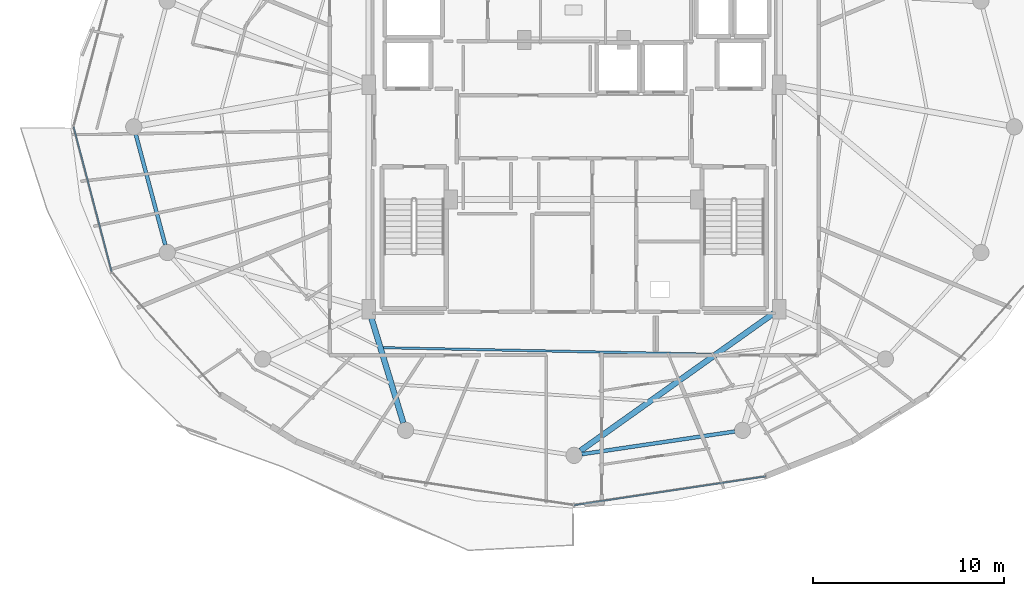
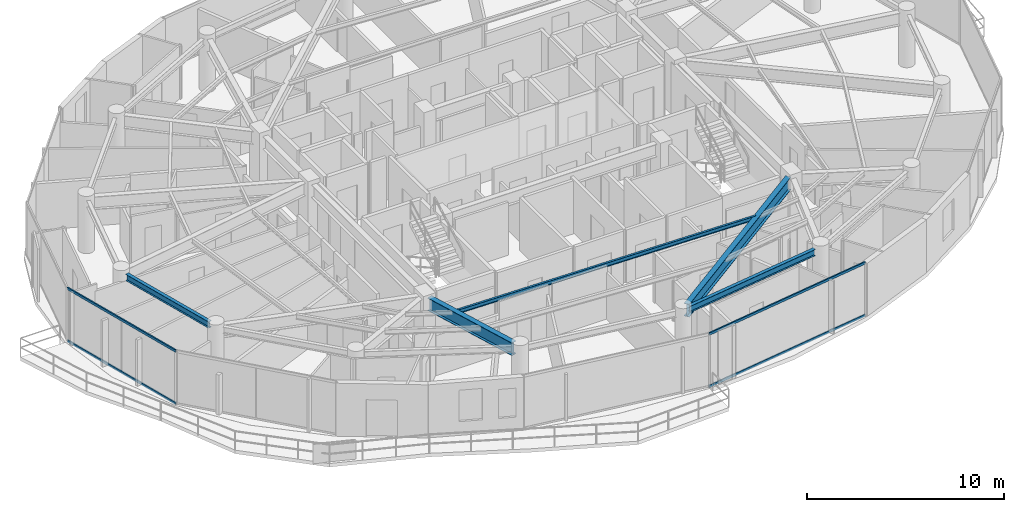
# One storey, part 6 of 30: 5 beams, 4 members, 2 elements without a shape of their own.
"""IFC4 building model written with IfcOpenShell, lengths in metres."""

from ifc_helpers import new_model, si_unit, direction, frame, origin, origin_2d, place, context, subcontext, project, spatial, hollow_rectangle, i_section, extrude, material, material_profile, profile_set, type_object, element, aggregate, save


model = new_model("IFC4")

# Units and contexts
model_context = context("Model", 3, precision=1e-05, world=origin(), true_north=direction((0.0, 1.0)))
body_context = subcontext(model_context, "Body", "Model", "MODEL_VIEW")
ifc_project = project(units=[si_unit("LENGTHUNIT", "METRE"), si_unit("AREAUNIT", "SQUARE_METRE"), si_unit("VOLUMEUNIT", "CUBIC_METRE"), si_unit("PLANEANGLEUNIT", "RADIAN"), si_unit("MASSUNIT", "GRAM", prefix="KILO")], contexts=[model_context])

# Site, building, storey
site_placement = place(None, origin())
site = spatial("IfcSite", under=ifc_project, at=site_placement, CompositionType="ELEMENT")
building_placement = place(site_placement, origin())
building = spatial("IfcBuilding", under=site, at=building_placement, Name="Vorneva Point Tower", CompositionType="ELEMENT")
storey_placement = place(building_placement, frame((0.0, 0.0, 252.0)))
storey = spatial("IfcBuildingStorey", under=building, at=storey_placement, Name="L68", CompositionType="ELEMENT", Elevation=252.0)

# Beams
ifc_material_1 = material(Name="Steel S355", Category="steel")
ifc_material_profile_1 = material_profile(ifc_material_1, i_section(OverallWidth=0.300048828125, OverallDepth=0.7880859375, WebThickness=0.014404296875, FlangeThickness=0.02197265625, at=origin_2d()), Name="80Sh1")
ifc_profile_set_1 = profile_set([ifc_material_profile_1], Name="Steel S355")
beam_type_1 = type_object("IfcBeamType", Name="BM-GRD-80Sh1", PredefinedType="USERDEFINED", material=ifc_profile_set_1)
beam_1_placement = place(storey_placement, frame((29.058837890625, 10.50439453125, 2.89599609375), z_axis=(-0.291032624293, 0.956713129207, 0.0), x_axis=(-0.956713129207, -0.291032624293, 0.0)))
element("IfcBeam", 1, at=beam_1_placement, inside=storey, type_object=beam_type_1, Name="L68 Radial Primary Girder 12", ObjectType="GIRDER", PredefinedType="USERDEFINED", context=body_context, shape_type="SweptSolid", body=[
    extrude(i_section(OverallWidth=0.300048828125, OverallDepth=0.7880859375, WebThickness=0.014404296875, FlangeThickness=0.02197265625, at=origin_2d()), origin(), (0.0, 0.0, 1.0), 5.874755859375),
])
beam_2_placement = place(storey_placement, frame((38.33642578125, 9.03955078125, 2.89599609375), z_axis=(0.814757147543, 0.579802371958, 0.0), x_axis=(-0.579802371958, 0.814757147543, 0.0)))
element("IfcBeam", 2, at=beam_2_placement, inside=storey, type_object=beam_type_1, Name="L68 Radial Primary Girder 13", ObjectType="GIRDER", PredefinedType="USERDEFINED", context=body_context, shape_type="SweptSolid", body=[
    extrude(i_section(OverallWidth=0.300048828125, OverallDepth=0.7880859375, WebThickness=0.014404296875, FlangeThickness=0.02197265625, at=origin_2d()), origin(), (0.0, 0.0, 1.0), 12.441162109375),
])
ifc_material_profile_2 = material_profile(ifc_material_1, i_section(OverallWidth=0.1240234375, OverallDepth=0.248046875, WebThickness=0.0048828125, FlangeThickness=0.008056640625, at=origin_2d()), Name="25B1")
ifc_profile_set_2 = profile_set([ifc_material_profile_2], Name="Steel S355")
beam_type_2 = type_object("IfcBeamType", Name="BM-JST-25B1", PredefinedType="JOIST", material=ifc_profile_set_2)
beam_3_placement = place(storey_placement, frame((28.0, 14.435791015625, 3.166015625), z_axis=(0.999801957281, -0.019900909973, 0.0), x_axis=(0.019900909973, 0.999801957281, 0.0)))
element("IfcBeam", 3, at=beam_3_placement, inside=storey, type_object=beam_type_2, Name="L68 Secondary Floor Beam 2.12", PredefinedType="JOIST", context=body_context, shape_type="SweptSolid", body=[
    extrude(i_section(OverallWidth=0.1240234375, OverallDepth=0.248046875, WebThickness=0.0048828125, FlangeThickness=0.008056640625, at=origin_2d()), origin(), (0.0, 0.0, 1.0), 17.297607421875),
])
ifc_material_profile_3 = material_profile(ifc_material_1, i_section(OverallWidth=0.198974609375, OverallDepth=0.39599609375, WebThickness=0.007080078125, FlangeThickness=0.010986328125, at=origin_2d()), Name="40B1")
ifc_profile_set_3 = profile_set([ifc_material_profile_3], Name="Steel S355")
beam_type_3 = type_object("IfcBeamType", Name="BM-SPN-40B1", PredefinedType="SPANDREL", material=ifc_profile_set_3)
beam_4_placement = place(storey_placement, frame((15.0556640625, 25.603759765625, 3.092041015625), z_axis=(0.257586570866, -0.966255224312, 0.0), x_axis=(0.966255224312, 0.257586570866, 0.0)))
element("IfcBeam", 4, at=beam_4_placement, inside=storey, type_object=beam_type_3, Name="L68 Perimeter Spandrel Ring Beam 09", PredefinedType="SPANDREL", context=body_context, shape_type="SweptSolid", body=[
    extrude(i_section(OverallWidth=0.198974609375, OverallDepth=0.39599609375, WebThickness=0.007080078125, FlangeThickness=0.010986328125, at=origin_2d()), origin(), (0.0, 0.0, 1.0), 5.991943359375),
])
beam_5_placement = place(storey_placement, frame((38.405517578125, 8.860107421875, 3.092041015625), z_axis=(0.989161657331, 0.146830567886, 0.0), x_axis=(-0.146830567886, 0.989161657331, 0.0)))
element("IfcBeam", 5, at=beam_5_placement, inside=storey, type_object=beam_type_3, Name="L68 Perimeter Spandrel Ring Beam 13", PredefinedType="SPANDREL", context=body_context, shape_type="SweptSolid", body=[
    extrude(i_section(OverallWidth=0.198974609375, OverallDepth=0.39599609375, WebThickness=0.007080078125, FlangeThickness=0.010986328125, at=origin_2d()), origin(), (0.0, 0.0, 1.0), 8.097412109375),
])

# Curtain wall, members
ifc_material_2 = material(Name="Pale anodised aluminium", Category="aluminium")
curtain_wall_type = type_object("IfcCurtainWallType", Name="CW-RES-SYS", PredefinedType="NOTDEFINED", material=ifc_material_2)
curtain_wall_1_placement = place(storey_placement, origin())
curtain_wall_1 = element("IfcCurtainWall", 6, at=curtain_wall_1_placement, inside=storey, type_object=curtain_wall_type, Name="L68 Unitised Curtain Wall CW-L68-R03", PredefinedType="NOTDEFINED")
ifc_material_profile_4 = material_profile(ifc_material_2, hollow_rectangle(XDim=0.074951171875, YDim=0.14990234375, WallThickness=0.00390625, at=origin_2d()), Name="AL-TRN 150x75x4")
ifc_profile_set_4 = profile_set([ifc_material_profile_4], Name="Pale anodised aluminium")
member_type = type_object("IfcMemberType", Name="CW-TRN-150", PredefinedType="USERDEFINED", material=ifc_profile_set_4)
member_1_placement = place(storey_placement, frame((11.800048828125, 26.0, 0.02001953125), z_axis=(0.254418180926, -0.967094302131, 0.0), x_axis=(0.967094302131, 0.254418180926, 0.0)))
member_1 = element("IfcMember", 7, at=member_1_placement, type_object=member_type, Name="CW-L68-R03 Transom 03.1", ObjectType="TRANSOM", PredefinedType="USERDEFINED", context=body_context, shape_type="SweptSolid", body=[
    extrude(hollow_rectangle(XDim=0.074951171875, YDim=0.14990234375, WallThickness=0.00390625, at=origin_2d()), origin(), (0.0, 0.0, 1.0), 7.839111328125),
])
member_2_placement = place(storey_placement, frame((11.800048828125, 26.0, 3.27001953125), z_axis=(0.254418180926, -0.967094302131, 0.0), x_axis=(0.967094302131, 0.254418180926, 0.0)))
member_2 = element("IfcMember", 8, at=member_2_placement, type_object=member_type, Name="CW-L68-R03 Transom 03.2", ObjectType="TRANSOM", PredefinedType="USERDEFINED", context=body_context, shape_type="SweptSolid", body=[
    extrude(hollow_rectangle(XDim=0.074951171875, YDim=0.14990234375, WallThickness=0.00390625, at=origin_2d()), origin(), (0.0, 0.0, 1.0), 7.839111328125),
])
aggregate(curtain_wall_1, [member_1, member_2])

curtain_wall_2_placement = place(storey_placement, origin())
curtain_wall_2 = element("IfcCurtainWall", 9, at=curtain_wall_2_placement, inside=storey, type_object=curtain_wall_type, Name="L68 Unitised Curtain Wall CW-L68-R04", PredefinedType="NOTDEFINED")
member_3_placement = place(storey_placement, frame((38.0, 6.18994140625, 0.02001953125), z_axis=(0.988876929856, 0.148736066907, 0.0), x_axis=(-0.148736066907, 0.988876929856, 0.0)))
member_3 = element("IfcMember", 10, at=member_3_placement, type_object=member_type, Name="CW-L68-R04 Transom 02.1", ObjectType="TRANSOM", PredefinedType="USERDEFINED", context=body_context, shape_type="SweptSolid", body=[
    extrude(hollow_rectangle(XDim=0.074951171875, YDim=0.14990234375, WallThickness=0.00390625, at=origin_2d()), origin(), (0.0, 0.0, 1.0), 10.13916015625),
])
member_4_placement = place(storey_placement, frame((38.0, 6.18994140625, 3.27001953125), z_axis=(0.988876929856, 0.148736066907, 0.0), x_axis=(-0.148736066907, 0.988876929856, 0.0)))
member_4 = element("IfcMember", 11, at=member_4_placement, type_object=member_type, Name="CW-L68-R04 Transom 02.2", ObjectType="TRANSOM", PredefinedType="USERDEFINED", context=body_context, shape_type="SweptSolid", body=[
    extrude(hollow_rectangle(XDim=0.074951171875, YDim=0.14990234375, WallThickness=0.00390625, at=origin_2d()), origin(), (0.0, 0.0, 1.0), 10.13916015625),
])
aggregate(curtain_wall_2, [member_3, member_4])

save(model, "model.ifc")
